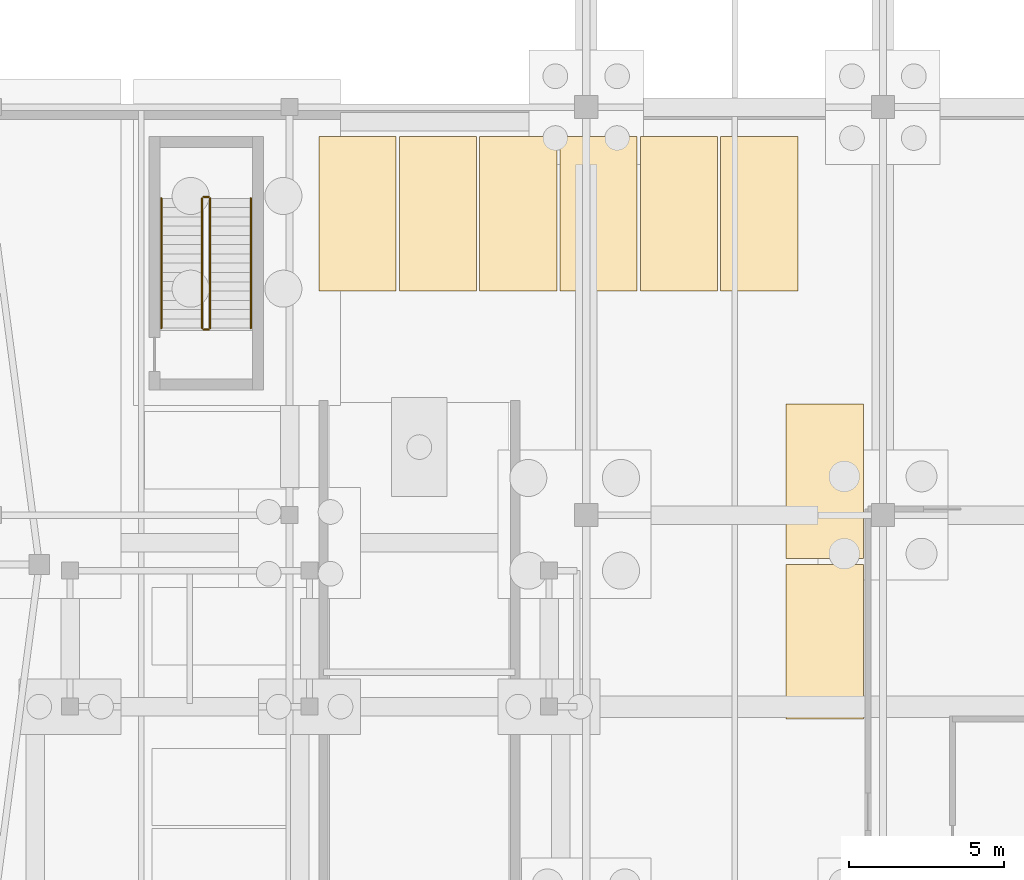
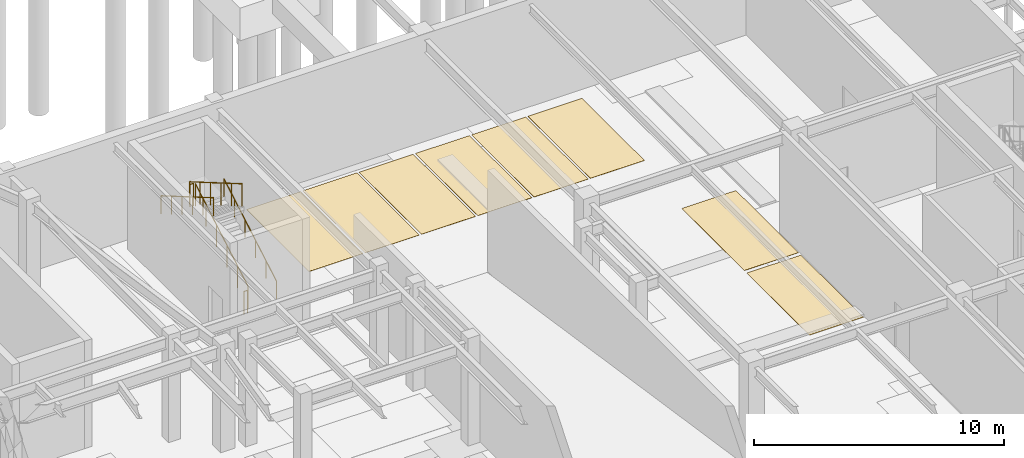
# One storey, part 53 of 55: 8 coverings, 6 railings.
"""IFC4 building model written with IfcOpenShell, lengths in metres."""

from ifc_helpers import new_model, si_unit, direction, frame, origin, origin_2d, place, context, subcontext, project, spatial, rectangle, circle, extrude, material, layer, layer_set, type_object, element, save


model = new_model("IFC4")

# Units and contexts
model_context = context("Model", 3, precision=1e-05, world=origin(), true_north=direction((0.0, 1.0)))
body_context = subcontext(model_context, "Body", "Model", "MODEL_VIEW")
ifc_project = project(units=[si_unit("LENGTHUNIT", "METRE"), si_unit("AREAUNIT", "SQUARE_METRE"), si_unit("VOLUMEUNIT", "CUBIC_METRE"), si_unit("PLANEANGLEUNIT", "RADIAN"), si_unit("MASSUNIT", "GRAM", prefix="KILO")], contexts=[model_context])

# Site, building, storey
site_placement = place(None, origin())
site = spatial("IfcSite", under=ifc_project, at=site_placement, CompositionType="ELEMENT")
building_placement = place(site_placement, origin())
building = spatial("IfcBuilding", under=site, at=building_placement, Name="Almandine Court Research Institute", CompositionType="ELEMENT")
storey_placement = place(building_placement, frame((0.0, 0.0, -5.25)))
storey = spatial("IfcBuildingStorey", under=building, at=storey_placement, Name="B1", CompositionType="ELEMENT", Elevation=-5.25)

# Coverings
ifc_material_1 = material(Name="Resin Traffic-Coated Car Park Stall Marking")
ifc_layer = layer(ifc_material_1, 0.010009765625)
ifc_layer_set = layer_set([ifc_layer], Name="Resin Traffic-Coated Car Park Stall Marking")
covering_type = type_object("IfcCoveringType", Name="Cov-PARK-STD", PredefinedType="FLOORING", material=ifc_layer_set)
for number, where, z_axis, x_axis, name in (
    (1, (146.199951171875, 67.35009765625, 0.0009765625), (0.0, 0.0, 1.0), (0.0, 1.0, 0.0), "Parking Bay 15"),
    (2, (148.800048828125, 67.35009765625, 0.0009765625), (0.0, 0.0, 1.0), (0.0, 1.0, 0.0), "Parking Bay 16"),
    (3, (151.39990234375, 67.35009765625, 0.0009765625), (0.0, 0.0, 1.0), (0.0, 1.0, 0.0), "Parking Bay 17"),
    (4, (154.0, 67.35009765625, 0.0009765625), (0.0, 0.0, 1.0), (0.0, 1.0, 0.0), "Parking Bay 18"),
    (5, (156.60009765625, 67.35009765625, 0.0009765625), (0.0, 0.0, 1.0), (0.0, 1.0, 0.0), "Parking Bay 19"),
    (6, (159.199951171875, 67.35009765625, 0.0009765625), (0.0, 0.0, 1.0), (0.0, 1.0, 0.0), "Parking Bay 20"),
    (7, (161.320068359375, 53.5, 0.0009765625), (0.0, 0.0, 1.0), (0.0, 1.0, 0.0), "Parking Bay 26"),
    (8, (161.320068359375, 58.699951171875, 0.0009765625), (0.0, 0.0, 1.0), (0.0, 1.0, 0.0), "Parking Bay 27"),
):
    element("IfcCovering", number, at=place(storey_placement, frame(where, z_axis=z_axis, x_axis=x_axis)), inside=storey, type_object=covering_type, Name=name, PredefinedType="FLOORING", context=body_context, shape_type="SweptSolid", body=[
        extrude(rectangle(XDim=5.0, YDim=2.5, at=origin_2d()), origin(), (0.0, 0.0, 1.0), 0.010009765625),
    ])

# Railings
ifc_material_2 = material(Name="Powder-Coated Steel Stair and Atrium Balustrade", Category="steel")
railing_type_1 = type_object("IfcRailingType", Name="Rail-GUARD-INT", PredefinedType="BALUSTRADE", material=ifc_material_2)
railing_1_placement = place(storey_placement, frame((141.429931640625, 63.64990234375, 0.175048828125)))
element("IfcRailing", 9, at=railing_1_placement, inside=storey, type_object=railing_type_1, Name="B1 ST-12 stair guard 1", PredefinedType="BALUSTRADE", context=body_context, shape_type="SweptSolid", body=[
    extrude(circle(Radius=0.02392578125, at=origin_2d()), frame((0.0, 0.0, 1.09619140625), z_axis=(0.0, 0.863793468915, 0.503846050951), x_axis=(-1.0, 0.0, 0.0)), (0.0, 0.0, 1.0), 4.862548828125),
    extrude(circle(Radius=0.02099609375, at=origin_2d()), origin(), (0.0, 0.0, 1.0), 1.072021484375),
    extrude(circle(Radius=0.02099609375, at=origin_2d()), frame((0.0, 0.840087890625, 0.489990234375)), (0.0, 0.0, 1.0), 1.072021484375),
    extrude(circle(Radius=0.02099609375, at=origin_2d()), frame((0.0, 1.68017578125, 0.97998046875)), (0.0, 0.0, 1.0), 1.072021484375),
    extrude(circle(Radius=0.02099609375, at=origin_2d()), frame((0.0, 2.52001953125, 1.469970703125)), (0.0, 0.0, 1.0), 1.072021484375),
    extrude(circle(Radius=0.02099609375, at=origin_2d()), frame((0.0, 3.360107421875, 1.9599609375)), (0.0, 0.0, 1.0), 1.072021484375),
    extrude(circle(Radius=0.02099609375, at=origin_2d()), frame((0.0, 4.2001953125, 2.449951171875)), (0.0, 0.0, 1.0), 1.072021484375),
])
railing_2_placement = place(storey_placement, frame((141.3798828125, 67.89990234375, 2.625)))
element("IfcRailing", 10, at=railing_2_placement, inside=storey, type_object=railing_type_1, Name="B1 ST-12 stair guard 2", PredefinedType="BALUSTRADE", context=body_context, shape_type="SweptSolid", body=[
    extrude(circle(Radius=0.02392578125, at=origin_2d()), frame((0.0, 0.0, 1.09619140625), z_axis=(-1.0, 0.0, 0.0), x_axis=(0.0, -1.0, 0.0)), (0.0, 0.0, 1.0), 0.159912109375),
    extrude(circle(Radius=0.02099609375, at=origin_2d()), origin(), (0.0, 0.0, 1.0), 1.072021484375),
    extrude(circle(Radius=0.02099609375, at=origin_2d()), frame((-0.159912109375, 0.0, 0.0)), (0.0, 0.0, 1.0), 1.072021484375),
])
railing_3_placement = place(storey_placement, frame((141.169921875, 67.85009765625, 2.800048828125)))
element("IfcRailing", 11, at=railing_3_placement, inside=storey, type_object=railing_type_1, Name="B1 ST-12 stair guard 3", PredefinedType="BALUSTRADE", context=body_context, shape_type="SweptSolid", body=[
    extrude(circle(Radius=0.02392578125, at=origin_2d()), frame((0.0, 0.0, 1.09619140625), z_axis=(0.0, -0.863793468915, 0.503846050951), x_axis=(1.0, 0.0, 0.0)), (0.0, 0.0, 1.0), 4.862548828125),
    extrude(circle(Radius=0.02099609375, at=origin_2d()), origin(), (0.0, 0.0, 1.0), 1.072021484375),
    extrude(circle(Radius=0.02099609375, at=origin_2d()), frame((0.0, -0.840087890625, 0.489990234375)), (0.0, 0.0, 1.0), 1.072021484375),
    extrude(circle(Radius=0.02099609375, at=origin_2d()), frame((0.0, -1.68017578125, 0.97998046875)), (0.0, 0.0, 1.0), 1.072021484375),
    extrude(circle(Radius=0.02099609375, at=origin_2d()), frame((0.0, -2.52001953125, 1.469970703125)), (0.0, 0.0, 1.0), 1.072021484375),
    extrude(circle(Radius=0.02099609375, at=origin_2d()), frame((0.0, -3.360107421875, 1.9599609375)), (0.0, 0.0, 1.0), 1.072021484375),
    extrude(circle(Radius=0.02099609375, at=origin_2d()), frame((0.0, -4.2001953125, 2.449951171875)), (0.0, 0.0, 1.0), 1.072021484375),
])
railing_4_placement = place(storey_placement, frame((141.3798828125, 63.60009765625, 0.0)))
element("IfcRailing", 12, at=railing_4_placement, inside=storey, type_object=railing_type_1, Name="B1 ST-12 stair guard 4", PredefinedType="BALUSTRADE", context=body_context, shape_type="SweptSolid", body=[
    extrude(circle(Radius=0.02392578125, at=origin_2d()), frame((0.0, 0.0, 1.09619140625), z_axis=(-1.0, 0.0, 0.0), x_axis=(0.0, -1.0, 0.0)), (0.0, 0.0, 1.0), 0.159912109375),
    extrude(circle(Radius=0.02099609375, at=origin_2d()), origin(), (0.0, 0.0, 1.0), 1.072021484375),
    extrude(circle(Radius=0.02099609375, at=origin_2d()), frame((-0.159912109375, 0.0, 0.0)), (0.0, 0.0, 1.0), 1.072021484375),
])
ifc_material_3 = material(Name="Brushed Stainless Steel Wall Handrail", Category="steel")
railing_type_2 = type_object("IfcRailingType", Name="Rail-HAND-INT", PredefinedType="HANDRAIL", material=ifc_material_3)
railing_5_placement = place(storey_placement, frame((142.75, 63.64990234375, 0.175048828125)))
element("IfcRailing", 13, at=railing_5_placement, inside=storey, type_object=railing_type_2, Name="B1 ST-12 stair handrail 1", PredefinedType="HANDRAIL", context=body_context, shape_type="SweptSolid", body=[
    extrude(circle(Radius=0.02392578125, at=origin_2d()), frame((0.0, 0.0, 0.8759765625), z_axis=(0.0, 0.863793468915, 0.503846050951), x_axis=(-1.0, 0.0, 0.0)), (0.0, 0.0, 1.0), 4.862548828125),
    extrude(circle(Radius=0.02099609375, at=origin_2d()), origin(), (0.0, 0.0, 1.0), 0.851806640625),
    extrude(circle(Radius=0.02099609375, at=origin_2d()), frame((0.0, 0.840087890625, 0.489990234375)), (0.0, 0.0, 1.0), 0.851806640625),
    extrude(circle(Radius=0.02099609375, at=origin_2d()), frame((0.0, 1.68017578125, 0.97998046875)), (0.0, 0.0, 1.0), 0.851806640625),
    extrude(circle(Radius=0.02099609375, at=origin_2d()), frame((0.0, 2.52001953125, 1.469970703125)), (0.0, 0.0, 1.0), 0.851806640625),
    extrude(circle(Radius=0.02099609375, at=origin_2d()), frame((0.0, 3.360107421875, 1.9599609375)), (0.0, 0.0, 1.0), 0.851806640625),
    extrude(circle(Radius=0.02099609375, at=origin_2d()), frame((0.0, 4.2001953125, 2.449951171875)), (0.0, 0.0, 1.0), 0.851806640625),
])
railing_6_placement = place(storey_placement, frame((139.85009765625, 67.85009765625, 2.800048828125)))
element("IfcRailing", 14, at=railing_6_placement, inside=storey, type_object=railing_type_2, Name="B1 ST-12 stair handrail 2", PredefinedType="HANDRAIL", context=body_context, shape_type="SweptSolid", body=[
    extrude(circle(Radius=0.02392578125, at=origin_2d()), frame((0.0, 0.0, 0.8759765625), z_axis=(0.0, -0.863793468915, 0.503846050951), x_axis=(1.0, 0.0, 0.0)), (0.0, 0.0, 1.0), 4.862548828125),
    extrude(circle(Radius=0.02099609375, at=origin_2d()), origin(), (0.0, 0.0, 1.0), 0.851806640625),
    extrude(circle(Radius=0.02099609375, at=origin_2d()), frame((0.0, -0.840087890625, 0.489990234375)), (0.0, 0.0, 1.0), 0.851806640625),
    extrude(circle(Radius=0.02099609375, at=origin_2d()), frame((0.0, -1.68017578125, 0.97998046875)), (0.0, 0.0, 1.0), 0.851806640625),
    extrude(circle(Radius=0.02099609375, at=origin_2d()), frame((0.0, -2.52001953125, 1.469970703125)), (0.0, 0.0, 1.0), 0.851806640625),
    extrude(circle(Radius=0.02099609375, at=origin_2d()), frame((0.0, -3.360107421875, 1.9599609375)), (0.0, 0.0, 1.0), 0.851806640625),
    extrude(circle(Radius=0.02099609375, at=origin_2d()), frame((0.0, -4.2001953125, 2.449951171875)), (0.0, 0.0, 1.0), 0.851806640625),
])

save(model, "model.ifc")
